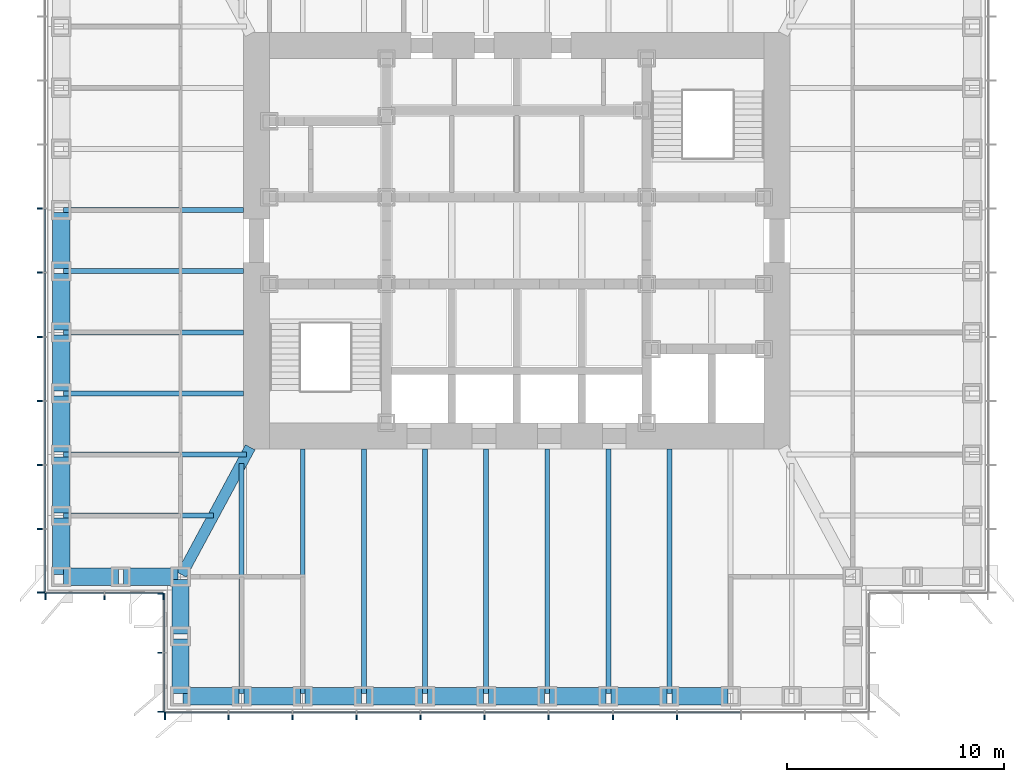
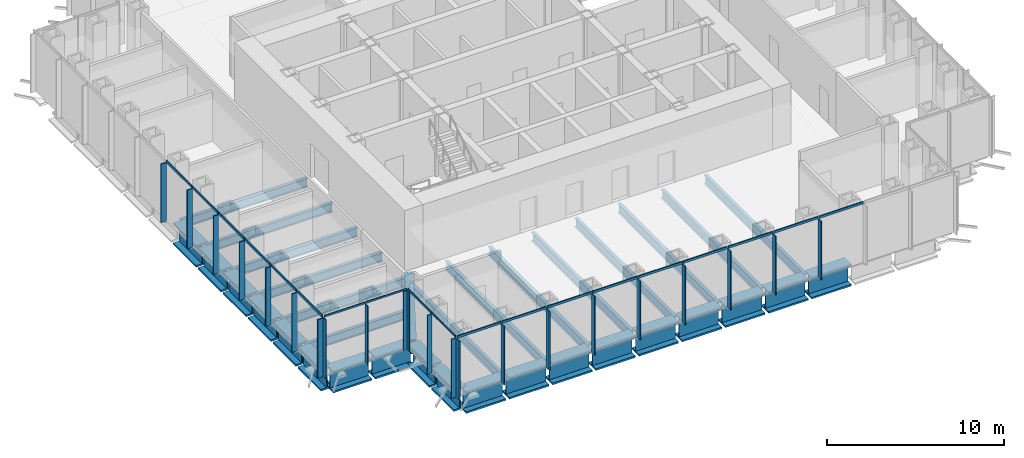
# One storey, part 2 of 17: 41 members, 34 beams, 4 elements without a shape of their own.
"""IFC4 building model written with IfcOpenShell, lengths in metres."""

from ifc_helpers import new_model, si_unit, direction, frame, origin, origin_2d, place, context, subcontext, project, spatial, rectangle, i_section, extrude, material, material_profile, profile_set, type_object, element, aggregate, save


model = new_model("IFC4")

# Units and contexts
model_context = context("Model", 3, precision=1e-05, world=origin(), true_north=direction((0.0, 1.0)))
body_context = subcontext(model_context, "Body", "Model", "MODEL_VIEW")
ifc_project = project(units=[si_unit("LENGTHUNIT", "METRE"), si_unit("AREAUNIT", "SQUARE_METRE"), si_unit("VOLUMEUNIT", "CUBIC_METRE"), si_unit("PLANEANGLEUNIT", "RADIAN"), si_unit("MASSUNIT", "GRAM", prefix="KILO")], contexts=[model_context])

# Site, building, storey
site_placement = place(None, origin())
site = spatial("IfcSite", under=ifc_project, at=site_placement, CompositionType="ELEMENT")
building_placement = place(site_placement, origin())
building = spatial("IfcBuilding", under=site, at=building_placement, Name="Daluyong Arena Tower", CompositionType="ELEMENT")
storey_placement = place(building_placement, frame((0.0, 0.0, 185.5)))
storey = spatial("IfcBuildingStorey", under=building, at=storey_placement, Name="L41", CompositionType="ELEMENT", Elevation=185.5)

# Curtain wall, members
ifc_material_1 = material(Name="Bronze anodised aluminium and glass", Category="aluminium")
curtain_wall_type_1 = type_object("IfcCurtainWallType", Name="Curtain wall CW3", PredefinedType="USERDEFINED", material=ifc_material_1)
curtain_wall_1_placement = place(storey_placement, origin())
curtain_wall_1 = element("IfcCurtainWall", 1, at=curtain_wall_1_placement, inside=storey, type_object=curtain_wall_type_1, Name="curtain wall L41 S", ObjectType="UNITISED CURTAIN WALL", PredefinedType="USERDEFINED")
ifc_material_2 = material(Name="Bronze anodised aluminium fin", Category="aluminium")
ifc_material_profile_1 = material_profile(ifc_material_2, rectangle(XDim=0.35009765625, YDim=0.070068359375, at=origin_2d()))
ifc_profile_set_1 = profile_set([ifc_material_profile_1], Name="Bronze anodised aluminium fin")
member_type_1 = type_object("IfcMemberType", Name="CW3 bronze fin 350x70", PredefinedType="MULLION", material=ifc_profile_set_1)
member_1_placement = place(storey_placement, frame((39.784912109375, 58.074951171875, 0.0), z_axis=(0.0, 0.0, 1.0), x_axis=(0.0, 1.0, 0.0)))
member_1 = element("IfcMember", 2, at=member_1_placement, type_object=member_type_1, Name="curtain wall L41 S fin 1", PredefinedType="MULLION", context=body_context, shape_type="SweptSolid", body=[
    extrude(rectangle(XDim=0.35009765625, YDim=0.070068359375, at=origin_2d()), origin(), (0.0, 0.0, 1.0), 4.0400390625),
])
member_2_placement = place(storey_placement, frame((42.70458984375, 58.074951171875, 0.0), z_axis=(0.0, 0.0, 1.0), x_axis=(0.0, 1.0, 0.0)))
member_2 = element("IfcMember", 3, at=member_2_placement, type_object=member_type_1, Name="curtain wall L41 S fin 2", PredefinedType="MULLION", context=body_context, shape_type="SweptSolid", body=[
    extrude(rectangle(XDim=0.35009765625, YDim=0.070068359375, at=origin_2d()), origin(), (0.0, 0.0, 1.0), 4.0400390625),
])
member_3_placement = place(storey_placement, frame((45.6591796875, 58.074951171875, 0.0), z_axis=(0.0, 0.0, 1.0), x_axis=(0.0, 1.0, 0.0)))
member_3 = element("IfcMember", 4, at=member_3_placement, type_object=member_type_1, Name="curtain wall L41 S fin 3", PredefinedType="MULLION", context=body_context, shape_type="SweptSolid", body=[
    extrude(rectangle(XDim=0.35009765625, YDim=0.070068359375, at=origin_2d()), origin(), (0.0, 0.0, 1.0), 4.0400390625),
])
member_4_placement = place(storey_placement, frame((48.613525390625, 58.074951171875, 0.0), z_axis=(0.0, 0.0, 1.0), x_axis=(0.0, 1.0, 0.0)))
member_4 = element("IfcMember", 5, at=member_4_placement, type_object=member_type_1, Name="curtain wall L41 S fin 4", PredefinedType="MULLION", context=body_context, shape_type="SweptSolid", body=[
    extrude(rectangle(XDim=0.35009765625, YDim=0.070068359375, at=origin_2d()), origin(), (0.0, 0.0, 1.0), 4.0400390625),
])
member_5_placement = place(storey_placement, frame((51.568115234375, 58.074951171875, 0.0), z_axis=(0.0, 0.0, 1.0), x_axis=(0.0, 1.0, 0.0)))
member_5 = element("IfcMember", 6, at=member_5_placement, type_object=member_type_1, Name="curtain wall L41 S fin 5", PredefinedType="MULLION", context=body_context, shape_type="SweptSolid", body=[
    extrude(rectangle(XDim=0.35009765625, YDim=0.070068359375, at=origin_2d()), origin(), (0.0, 0.0, 1.0), 4.0400390625),
])
member_6_placement = place(storey_placement, frame((54.522705078125, 58.074951171875, 0.0), z_axis=(0.0, 0.0, 1.0), x_axis=(0.0, 1.0, 0.0)))
member_6 = element("IfcMember", 7, at=member_6_placement, type_object=member_type_1, Name="curtain wall L41 S fin 6", PredefinedType="MULLION", context=body_context, shape_type="SweptSolid", body=[
    extrude(rectangle(XDim=0.35009765625, YDim=0.070068359375, at=origin_2d()), origin(), (0.0, 0.0, 1.0), 4.0400390625),
])
member_7_placement = place(storey_placement, frame((57.477294921875, 58.074951171875, 0.0), z_axis=(0.0, 0.0, 1.0), x_axis=(0.0, 1.0, 0.0)))
member_7 = element("IfcMember", 8, at=member_7_placement, type_object=member_type_1, Name="curtain wall L41 S fin 7", PredefinedType="MULLION", context=body_context, shape_type="SweptSolid", body=[
    extrude(rectangle(XDim=0.35009765625, YDim=0.070068359375, at=origin_2d()), origin(), (0.0, 0.0, 1.0), 4.0400390625),
])
member_8_placement = place(storey_placement, frame((60.431884765625, 58.074951171875, 0.0), z_axis=(0.0, 0.0, 1.0), x_axis=(0.0, 1.0, 0.0)))
member_8 = element("IfcMember", 9, at=member_8_placement, type_object=member_type_1, Name="curtain wall L41 S fin 8", PredefinedType="MULLION", context=body_context, shape_type="SweptSolid", body=[
    extrude(rectangle(XDim=0.35009765625, YDim=0.070068359375, at=origin_2d()), origin(), (0.0, 0.0, 1.0), 4.0400390625),
])
member_9_placement = place(storey_placement, frame((63.386474609375, 58.074951171875, 0.0), z_axis=(0.0, 0.0, 1.0), x_axis=(0.0, 1.0, 0.0)))
member_9 = element("IfcMember", 10, at=member_9_placement, type_object=member_type_1, Name="curtain wall L41 S fin 9", PredefinedType="MULLION", context=body_context, shape_type="SweptSolid", body=[
    extrude(rectangle(XDim=0.35009765625, YDim=0.070068359375, at=origin_2d()), origin(), (0.0, 0.0, 1.0), 4.0400390625),
])

curtain_wall_2_placement = place(storey_placement, origin())
curtain_wall_2 = element("IfcCurtainWall", 11, at=curtain_wall_2_placement, inside=storey, type_object=curtain_wall_type_1, Name="curtain wall L41 W", ObjectType="UNITISED CURTAIN WALL", PredefinedType="USERDEFINED")
member_10_placement = place(storey_placement, frame((34.074951171875, 81.477294921875, 0.0), z_axis=(0.0, 0.0, 1.0), x_axis=(1.0, 0.0, 0.0)))
member_10 = element("IfcMember", 12, at=member_10_placement, type_object=member_type_1, Name="curtain wall L41 W fin 6", PredefinedType="MULLION", context=body_context, shape_type="SweptSolid", body=[
    extrude(rectangle(XDim=0.35009765625, YDim=0.070068359375, at=origin_2d()), origin(), (0.0, 0.0, 1.0), 4.0400390625),
])
member_11_placement = place(storey_placement, frame((34.074951171875, 78.522705078125, 0.0), z_axis=(0.0, 0.0, 1.0), x_axis=(1.0, 0.0, 0.0)))
member_11 = element("IfcMember", 13, at=member_11_placement, type_object=member_type_1, Name="curtain wall L41 W fin 7", PredefinedType="MULLION", context=body_context, shape_type="SweptSolid", body=[
    extrude(rectangle(XDim=0.35009765625, YDim=0.070068359375, at=origin_2d()), origin(), (0.0, 0.0, 1.0), 4.0400390625),
])
member_12_placement = place(storey_placement, frame((34.074951171875, 75.568115234375, 0.0), z_axis=(0.0, 0.0, 1.0), x_axis=(1.0, 0.0, 0.0)))
member_12 = element("IfcMember", 14, at=member_12_placement, type_object=member_type_1, Name="curtain wall L41 W fin 8", PredefinedType="MULLION", context=body_context, shape_type="SweptSolid", body=[
    extrude(rectangle(XDim=0.35009765625, YDim=0.070068359375, at=origin_2d()), origin(), (0.0, 0.0, 1.0), 4.0400390625),
])
member_13_placement = place(storey_placement, frame((34.074951171875, 72.613525390625, 0.0), z_axis=(0.0, 0.0, 1.0), x_axis=(1.0, 0.0, 0.0)))
member_13 = element("IfcMember", 15, at=member_13_placement, type_object=member_type_1, Name="curtain wall L41 W fin 9", PredefinedType="MULLION", context=body_context, shape_type="SweptSolid", body=[
    extrude(rectangle(XDim=0.35009765625, YDim=0.070068359375, at=origin_2d()), origin(), (0.0, 0.0, 1.0), 4.0400390625),
])
member_14_placement = place(storey_placement, frame((34.074951171875, 69.6591796875, 0.0), z_axis=(0.0, 0.0, 1.0), x_axis=(1.0, 0.0, 0.0)))
member_14 = element("IfcMember", 16, at=member_14_placement, type_object=member_type_1, Name="curtain wall L41 W fin 10", PredefinedType="MULLION", context=body_context, shape_type="SweptSolid", body=[
    extrude(rectangle(XDim=0.35009765625, YDim=0.070068359375, at=origin_2d()), origin(), (0.0, 0.0, 1.0), 4.0400390625),
])
member_15_placement = place(storey_placement, frame((34.074951171875, 66.70458984375, 0.0), z_axis=(0.0, 0.0, 1.0), x_axis=(1.0, 0.0, 0.0)))
member_15 = element("IfcMember", 17, at=member_15_placement, type_object=member_type_1, Name="curtain wall L41 W fin 11", PredefinedType="MULLION", context=body_context, shape_type="SweptSolid", body=[
    extrude(rectangle(XDim=0.35009765625, YDim=0.070068359375, at=origin_2d()), origin(), (0.0, 0.0, 1.0), 4.0400390625),
])
member_16_placement = place(storey_placement, frame((34.074951171875, 63.784912109375, 0.0), z_axis=(0.0, 0.0, 1.0), x_axis=(1.0, 0.0, 0.0)))
member_16 = element("IfcMember", 18, at=member_16_placement, type_object=member_type_1, Name="curtain wall L41 W fin 12", PredefinedType="MULLION", context=body_context, shape_type="SweptSolid", body=[
    extrude(rectangle(XDim=0.35009765625, YDim=0.070068359375, at=origin_2d()), origin(), (0.0, 0.0, 1.0), 4.0400390625),
])

# Member
ifc_material_3 = material(Name="Bronze anodised aluminium", Category="aluminium")
ifc_material_profile_2 = material_profile(ifc_material_3, rectangle(XDim=0.070068359375, YDim=0.159912109375, at=origin_2d()))
ifc_profile_set_2 = profile_set([ifc_material_profile_2], Name="Bronze anodised aluminium")
member_type_2 = type_object("IfcMemberType", Name="CW3 stack transom 160x70", PredefinedType="USERDEFINED", material=ifc_profile_set_2)
member_17_placement = place(storey_placement, frame((39.820068359375, 58.25, 4.1201171875), z_axis=(1.0, 0.0, 0.0), x_axis=(0.0, 1.0, 0.0)))
member_17 = element("IfcMember", 19, at=member_17_placement, type_object=member_type_2, Name="curtain wall L41 S transom 1", ObjectType="TRANSOM", PredefinedType="USERDEFINED", context=body_context, shape_type="SweptSolid", body=[
    extrude(rectangle(XDim=0.070068359375, YDim=0.159912109375, at=origin_2d()), origin(), (0.0, 0.0, 1.0), 2.849365234375),
])

member_18_placement = place(storey_placement, frame((42.739501953125, 58.25, 4.1201171875), z_axis=(1.0, 0.0, 0.0), x_axis=(0.0, 1.0, 0.0)))
member_18 = element("IfcMember", 20, at=member_18_placement, type_object=member_type_2, Name="curtain wall L41 S transom 2", ObjectType="TRANSOM", PredefinedType="USERDEFINED", context=body_context, shape_type="SweptSolid", body=[
    extrude(rectangle(XDim=0.070068359375, YDim=0.159912109375, at=origin_2d()), origin(), (0.0, 0.0, 1.0), 2.884521484375),
])

member_19_placement = place(storey_placement, frame((45.694091796875, 58.25, 4.1201171875), z_axis=(1.0, 0.0, 0.0), x_axis=(0.0, 1.0, 0.0)))
member_19 = element("IfcMember", 21, at=member_19_placement, type_object=member_type_2, Name="curtain wall L41 S transom 3", ObjectType="TRANSOM", PredefinedType="USERDEFINED", context=body_context, shape_type="SweptSolid", body=[
    extrude(rectangle(XDim=0.070068359375, YDim=0.159912109375, at=origin_2d()), origin(), (0.0, 0.0, 1.0), 2.884521484375),
])

member_20_placement = place(storey_placement, frame((48.648681640625, 58.25, 4.1201171875), z_axis=(1.0, 0.0, 0.0), x_axis=(0.0, 1.0, 0.0)))
member_20 = element("IfcMember", 22, at=member_20_placement, type_object=member_type_2, Name="curtain wall L41 S transom 4", ObjectType="TRANSOM", PredefinedType="USERDEFINED", context=body_context, shape_type="SweptSolid", body=[
    extrude(rectangle(XDim=0.070068359375, YDim=0.159912109375, at=origin_2d()), origin(), (0.0, 0.0, 1.0), 2.884521484375),
])

member_21_placement = place(storey_placement, frame((51.603271484375, 58.25, 4.1201171875), z_axis=(1.0, 0.0, 0.0), x_axis=(0.0, 1.0, 0.0)))
member_21 = element("IfcMember", 23, at=member_21_placement, type_object=member_type_2, Name="curtain wall L41 S transom 5", ObjectType="TRANSOM", PredefinedType="USERDEFINED", context=body_context, shape_type="SweptSolid", body=[
    extrude(rectangle(XDim=0.070068359375, YDim=0.159912109375, at=origin_2d()), origin(), (0.0, 0.0, 1.0), 2.884521484375),
])

member_22_placement = place(storey_placement, frame((54.5576171875, 58.25, 4.1201171875), z_axis=(1.0, 0.0, 0.0), x_axis=(0.0, 1.0, 0.0)))
member_22 = element("IfcMember", 24, at=member_22_placement, type_object=member_type_2, Name="curtain wall L41 S transom 6", ObjectType="TRANSOM", PredefinedType="USERDEFINED", context=body_context, shape_type="SweptSolid", body=[
    extrude(rectangle(XDim=0.070068359375, YDim=0.159912109375, at=origin_2d()), origin(), (0.0, 0.0, 1.0), 2.884765625),
])

member_23_placement = place(storey_placement, frame((57.51220703125, 58.25, 4.1201171875), z_axis=(1.0, 0.0, 0.0), x_axis=(0.0, 1.0, 0.0)))
member_23 = element("IfcMember", 25, at=member_23_placement, type_object=member_type_2, Name="curtain wall L41 S transom 7", ObjectType="TRANSOM", PredefinedType="USERDEFINED", context=body_context, shape_type="SweptSolid", body=[
    extrude(rectangle(XDim=0.070068359375, YDim=0.159912109375, at=origin_2d()), origin(), (0.0, 0.0, 1.0), 2.884521484375),
])

member_24_placement = place(storey_placement, frame((60.466796875, 58.25, 4.1201171875), z_axis=(1.0, 0.0, 0.0), x_axis=(0.0, 1.0, 0.0)))
member_24 = element("IfcMember", 26, at=member_24_placement, type_object=member_type_2, Name="curtain wall L41 S transom 8", ObjectType="TRANSOM", PredefinedType="USERDEFINED", context=body_context, shape_type="SweptSolid", body=[
    extrude(rectangle(XDim=0.070068359375, YDim=0.159912109375, at=origin_2d()), origin(), (0.0, 0.0, 1.0), 2.884521484375),
])

member_25_placement = place(storey_placement, frame((63.42138671875, 58.25, 4.1201171875), z_axis=(1.0, 0.0, 0.0), x_axis=(0.0, 1.0, 0.0)))
member_25 = element("IfcMember", 27, at=member_25_placement, type_object=member_type_2, Name="curtain wall L41 S transom 9", ObjectType="TRANSOM", PredefinedType="USERDEFINED", context=body_context, shape_type="SweptSolid", body=[
    extrude(rectangle(XDim=0.070068359375, YDim=0.159912109375, at=origin_2d()), origin(), (0.0, 0.0, 1.0), 2.884521484375),
])

aggregate(curtain_wall_1, [member_1, member_2, member_3, member_4, member_5, member_6, member_7, member_8, member_9, member_17, member_18, member_19, member_20, member_21, member_22, member_23, member_24, member_25])

member_26_placement = place(storey_placement, frame((34.25, 81.4423828125, 4.1201171875), z_axis=(0.0, -1.0, 0.0), x_axis=(1.0, 0.0, 0.0)))
member_26 = element("IfcMember", 28, at=member_26_placement, type_object=member_type_2, Name="curtain wall L41 W transom 6", ObjectType="TRANSOM", PredefinedType="USERDEFINED", context=body_context, shape_type="SweptSolid", body=[
    extrude(rectangle(XDim=0.070068359375, YDim=0.159912109375, at=origin_2d()), origin(), (0.0, 0.0, 1.0), 2.884765625),
])

member_27_placement = place(storey_placement, frame((34.25, 78.48779296875, 4.1201171875), z_axis=(0.0, -1.0, 0.0), x_axis=(1.0, 0.0, 0.0)))
member_27 = element("IfcMember", 29, at=member_27_placement, type_object=member_type_2, Name="curtain wall L41 W transom 7", ObjectType="TRANSOM", PredefinedType="USERDEFINED", context=body_context, shape_type="SweptSolid", body=[
    extrude(rectangle(XDim=0.070068359375, YDim=0.159912109375, at=origin_2d()), origin(), (0.0, 0.0, 1.0), 2.884521484375),
])

member_28_placement = place(storey_placement, frame((34.25, 75.533203125, 4.1201171875), z_axis=(0.0, -1.0, 0.0), x_axis=(1.0, 0.0, 0.0)))
member_28 = element("IfcMember", 30, at=member_28_placement, type_object=member_type_2, Name="curtain wall L41 W transom 8", ObjectType="TRANSOM", PredefinedType="USERDEFINED", context=body_context, shape_type="SweptSolid", body=[
    extrude(rectangle(XDim=0.070068359375, YDim=0.159912109375, at=origin_2d()), origin(), (0.0, 0.0, 1.0), 2.884521484375),
])

member_29_placement = place(storey_placement, frame((34.25, 72.57861328125, 4.1201171875), z_axis=(0.0, -1.0, 0.0), x_axis=(1.0, 0.0, 0.0)))
member_29 = element("IfcMember", 31, at=member_29_placement, type_object=member_type_2, Name="curtain wall L41 W transom 9", ObjectType="TRANSOM", PredefinedType="USERDEFINED", context=body_context, shape_type="SweptSolid", body=[
    extrude(rectangle(XDim=0.070068359375, YDim=0.159912109375, at=origin_2d()), origin(), (0.0, 0.0, 1.0), 2.884521484375),
])

member_30_placement = place(storey_placement, frame((34.25, 69.6240234375, 4.1201171875), z_axis=(0.0, -1.0, 0.0), x_axis=(1.0, 0.0, 0.0)))
member_30 = element("IfcMember", 32, at=member_30_placement, type_object=member_type_2, Name="curtain wall L41 W transom 10", ObjectType="TRANSOM", PredefinedType="USERDEFINED", context=body_context, shape_type="SweptSolid", body=[
    extrude(rectangle(XDim=0.070068359375, YDim=0.159912109375, at=origin_2d()), origin(), (0.0, 0.0, 1.0), 2.884521484375),
])

member_31_placement = place(storey_placement, frame((34.25, 66.66943359375, 4.1201171875), z_axis=(0.0, -1.0, 0.0), x_axis=(1.0, 0.0, 0.0)))
member_31 = element("IfcMember", 33, at=member_31_placement, type_object=member_type_2, Name="curtain wall L41 W transom 11", ObjectType="TRANSOM", PredefinedType="USERDEFINED", context=body_context, shape_type="SweptSolid", body=[
    extrude(rectangle(XDim=0.070068359375, YDim=0.159912109375, at=origin_2d()), origin(), (0.0, 0.0, 1.0), 2.849365234375),
])

aggregate(curtain_wall_2, [member_10, member_11, member_12, member_13, member_14, member_15, member_16, member_26, member_27, member_28, member_29, member_30, member_31])

# Curtain wall, members
ifc_material_4 = material(Name="Bronze anodised aluminium and glass", Category="aluminium")
curtain_wall_type_2 = type_object("IfcCurtainWallType", Name="Curtain wall CW7", PredefinedType="USERDEFINED", material=ifc_material_4)
curtain_wall_3_placement = place(storey_placement, origin())
curtain_wall_3 = element("IfcCurtainWall", 34, at=curtain_wall_3_placement, inside=storey, type_object=curtain_wall_type_2, Name="curtain wall L41 SW-S", ObjectType="UNITISED CURTAIN WALL", PredefinedType="USERDEFINED")
ifc_material_5 = material(Name="Bronze anodised aluminium fin", Category="aluminium")
ifc_material_profile_3 = material_profile(ifc_material_5, rectangle(XDim=0.300048828125, YDim=0.06005859375, at=origin_2d()))
ifc_profile_set_3 = profile_set([ifc_material_profile_3], Name="Bronze anodised aluminium fin")
member_type_3 = type_object("IfcMemberType", Name="CW7 bronze fin 300x60", PredefinedType="MULLION", material=ifc_profile_set_3)
member_32_placement = place(storey_placement, frame((34.280029296875, 63.60009765625, 0.0), z_axis=(0.0, 0.0, 1.0), x_axis=(0.0, 1.0, 0.0)))
member_32 = element("IfcMember", 35, at=member_32_placement, type_object=member_type_3, Name="curtain wall L41 SW-S fin 1", PredefinedType="MULLION", context=body_context, shape_type="SweptSolid", body=[
    extrude(rectangle(XDim=0.300048828125, YDim=0.06005859375, at=origin_2d()), origin(), (0.0, 0.0, 1.0), 4.080078125),
])
member_33_placement = place(storey_placement, frame((37.0, 63.60009765625, 0.0), z_axis=(0.0, 0.0, 1.0), x_axis=(0.0, 1.0, 0.0)))
member_33 = element("IfcMember", 36, at=member_33_placement, type_object=member_type_3, Name="curtain wall L41 SW-S fin 2", PredefinedType="MULLION", context=body_context, shape_type="SweptSolid", body=[
    extrude(rectangle(XDim=0.300048828125, YDim=0.06005859375, at=origin_2d()), origin(), (0.0, 0.0, 1.0), 4.080078125),
])
member_34_placement = place(storey_placement, frame((39.719970703125, 63.60009765625, 0.0), z_axis=(0.0, 0.0, 1.0), x_axis=(0.0, 1.0, 0.0)))
member_34 = element("IfcMember", 37, at=member_34_placement, type_object=member_type_3, Name="curtain wall L41 SW-S fin 3", PredefinedType="MULLION", context=body_context, shape_type="SweptSolid", body=[
    extrude(rectangle(XDim=0.300048828125, YDim=0.06005859375, at=origin_2d()), origin(), (0.0, 0.0, 1.0), 4.080078125),
])

curtain_wall_4_placement = place(storey_placement, origin())
curtain_wall_4 = element("IfcCurtainWall", 38, at=curtain_wall_4_placement, inside=storey, type_object=curtain_wall_type_2, Name="curtain wall L41 SW-W", ObjectType="UNITISED CURTAIN WALL", PredefinedType="USERDEFINED")
member_35_placement = place(storey_placement, frame((39.60009765625, 63.719970703125, 0.0), z_axis=(0.0, 0.0, 1.0), x_axis=(1.0, 0.0, 0.0)))
member_35 = element("IfcMember", 39, at=member_35_placement, type_object=member_type_3, Name="curtain wall L41 SW-W fin 1", PredefinedType="MULLION", context=body_context, shape_type="SweptSolid", body=[
    extrude(rectangle(XDim=0.300048828125, YDim=0.06005859375, at=origin_2d()), origin(), (0.0, 0.0, 1.0), 4.080078125),
])
member_36_placement = place(storey_placement, frame((39.60009765625, 61.0, 0.0), z_axis=(0.0, 0.0, 1.0), x_axis=(1.0, 0.0, 0.0)))
member_36 = element("IfcMember", 40, at=member_36_placement, type_object=member_type_3, Name="curtain wall L41 SW-W fin 2", PredefinedType="MULLION", context=body_context, shape_type="SweptSolid", body=[
    extrude(rectangle(XDim=0.300048828125, YDim=0.06005859375, at=origin_2d()), origin(), (0.0, 0.0, 1.0), 4.080078125),
])
member_37_placement = place(storey_placement, frame((39.60009765625, 58.280029296875, 0.0), z_axis=(0.0, 0.0, 1.0), x_axis=(1.0, 0.0, 0.0)))
member_37 = element("IfcMember", 41, at=member_37_placement, type_object=member_type_3, Name="curtain wall L41 SW-W fin 3", PredefinedType="MULLION", context=body_context, shape_type="SweptSolid", body=[
    extrude(rectangle(XDim=0.300048828125, YDim=0.06005859375, at=origin_2d()), origin(), (0.0, 0.0, 1.0), 4.080078125),
])

# Member
ifc_material_6 = material(Name="Bronze anodised aluminium", Category="aluminium")
ifc_material_profile_4 = material_profile(ifc_material_6, rectangle(XDim=0.06005859375, YDim=0.1201171875, at=origin_2d()))
ifc_profile_set_4 = profile_set([ifc_material_profile_4], Name="Bronze anodised aluminium")
member_type_4 = type_object("IfcMemberType", Name="CW7 stack transom 120x60", PredefinedType="USERDEFINED", material=ifc_profile_set_4)
member_38_placement = place(storey_placement, frame((34.31005859375, 63.75, 4.139892578125), z_axis=(1.0, 0.0, 0.0), x_axis=(0.0, 1.0, 0.0)))
member_38 = element("IfcMember", 42, at=member_38_placement, type_object=member_type_4, Name="curtain wall L41 SW-S transom 1", ObjectType="TRANSOM", PredefinedType="USERDEFINED", context=body_context, shape_type="SweptSolid", body=[
    extrude(rectangle(XDim=0.06005859375, YDim=0.1201171875, at=origin_2d()), origin(), (0.0, 0.0, 1.0), 2.659912109375),
])

member_39_placement = place(storey_placement, frame((37.030029296875, 63.75, 4.139892578125), z_axis=(1.0, 0.0, 0.0), x_axis=(0.0, 1.0, 0.0)))
member_39 = element("IfcMember", 43, at=member_39_placement, type_object=member_type_4, Name="curtain wall L41 SW-S transom 2", ObjectType="TRANSOM", PredefinedType="USERDEFINED", context=body_context, shape_type="SweptSolid", body=[
    extrude(rectangle(XDim=0.06005859375, YDim=0.1201171875, at=origin_2d()), origin(), (0.0, 0.0, 1.0), 2.659912109375),
])

aggregate(curtain_wall_3, [member_32, member_33, member_34, member_38, member_39])

member_40_placement = place(storey_placement, frame((39.75, 63.68994140625, 4.139892578125), z_axis=(0.0, -1.0, 0.0), x_axis=(1.0, 0.0, 0.0)))
member_40 = element("IfcMember", 44, at=member_40_placement, type_object=member_type_4, Name="curtain wall L41 SW-W transom 1", ObjectType="TRANSOM", PredefinedType="USERDEFINED", context=body_context, shape_type="SweptSolid", body=[
    extrude(rectangle(XDim=0.06005859375, YDim=0.1201171875, at=origin_2d()), origin(), (0.0, 0.0, 1.0), 2.659912109375),
])

member_41_placement = place(storey_placement, frame((39.75, 60.969970703125, 4.139892578125), z_axis=(0.0, -1.0, 0.0), x_axis=(1.0, 0.0, 0.0)))
member_41 = element("IfcMember", 45, at=member_41_placement, type_object=member_type_4, Name="curtain wall L41 SW-W transom 2", ObjectType="TRANSOM", PredefinedType="USERDEFINED", context=body_context, shape_type="SweptSolid", body=[
    extrude(rectangle(XDim=0.06005859375, YDim=0.1201171875, at=origin_2d()), origin(), (0.0, 0.0, 1.0), 2.659912109375),
])

aggregate(curtain_wall_4, [member_35, member_36, member_37, member_40, member_41])

# Beams
ifc_material_7 = material(Name="Steel ASTM A572 Grade 50", Category="steel")
ifc_material_profile_5 = material_profile(ifc_material_7, i_section(OverallWidth=0.5, OverallDepth=1.0, WebThickness=0.03, FlangeThickness=0.06, at=origin_2d()))
ifc_profile_set_5 = profile_set([ifc_material_profile_5], Name="Steel ASTM A572 Grade 50")
beam_type_1 = type_object("IfcBeamType", Name="Corner girder TB1000X500", PredefinedType="BEAM", material=ifc_profile_set_5)
beam_1_placement = place(storey_placement, frame((40.554443359375, 64.601318359375, -0.659912109375), z_axis=(0.474119475266, 0.880460517669, 0.0), x_axis=(-0.880460517669, 0.474119475266, 0.0)))
element("IfcBeam", 46, at=beam_1_placement, inside=storey, type_object=beam_type_1, Name="corner girder DG2", PredefinedType="BEAM", context=body_context, shape_type="SweptSolid", body=[
    extrude(i_section(OverallWidth=0.5, OverallDepth=1.0, WebThickness=0.03, FlangeThickness=0.06, at=origin_2d()), origin(), (0.0, 0.0, 1.0), 6.66748046875),
])
ifc_material_8 = material(Name="Steel ASTM A992 Grade 50", Category="steel")
ifc_material_profile_6 = material_profile(ifc_material_8, i_section(OverallWidth=0.22900390625, OverallDepth=0.612060546875, WebThickness=0.011962890625, FlangeThickness=0.01953125, at=origin_2d()))
ifc_profile_set_6 = profile_set([ifc_material_profile_6], Name="Steel ASTM A992 Grade 50")
beam_type_2 = type_object("IfcBeamType", Name="Floor beam W24X84", PredefinedType="BEAM", material=ifc_profile_set_6)
beam_2_placement = place(storey_placement, frame((43.318115234375, 59.114990234375, -0.466064453125), z_axis=(0.0, 1.0, 0.0), x_axis=(-1.0, 0.0, 0.0)))
element("IfcBeam", 47, at=beam_2_placement, inside=storey, type_object=beam_type_2, Name="floor beam FB3", PredefinedType="BEAM", context=body_context, shape_type="SweptSolid", body=[
    extrude(i_section(OverallWidth=0.22900390625, OverallDepth=0.612060546875, WebThickness=0.011962890625, FlangeThickness=0.01953125, at=origin_2d()), origin(), (0.0, 0.0, 1.0), 10.618896484375),
])
for number, where, z_axis, x_axis, name in (
    (48, (46.136474609375, 59.114990234375, -0.466064453125), (0.0, 1.0, 0.0), (-1.0, 0.0, 0.0), "floor beam FB3"),
    (49, (48.95458984375, 59.114990234375, -0.466064453125), (0.0, 1.0, 0.0), (-1.0, 0.0, 0.0), "floor beam FB3"),
    (50, (51.772705078125, 59.114990234375, -0.466064453125), (0.0, 1.0, 0.0), (-1.0, 0.0, 0.0), "floor beam FB3"),
    (51, (54.5908203125, 59.114990234375, -0.466064453125), (0.0, 1.0, 0.0), (-1.0, 0.0, 0.0), "floor beam FB3"),
    (52, (57.4091796875, 59.114990234375, -0.466064453125), (0.0, 1.0, 0.0), (-1.0, 0.0, 0.0), "floor beam FB3"),
    (53, (60.227294921875, 59.114990234375, -0.466064453125), (0.0, 1.0, 0.0), (-1.0, 0.0, 0.0), "floor beam FB3"),
    (54, (63.04541015625, 59.114990234375, -0.466064453125), (0.0, 1.0, 0.0), (-1.0, 0.0, 0.0), "floor beam FB3"),
):
    element("IfcBeam", number, at=place(storey_placement, frame(where, z_axis=z_axis, x_axis=x_axis)), inside=storey, type_object=beam_type_2, Name=name, PredefinedType="BEAM", context=body_context, shape_type="SweptSolid", body=[
        extrude(i_section(OverallWidth=0.22900390625, OverallDepth=0.612060546875, WebThickness=0.011962890625, FlangeThickness=0.01953125, at=origin_2d()), origin(), (0.0, 0.0, 1.0), 11.284912109375),
    ])
for number, where, z_axis, x_axis, name in (
    (55, (35.114990234375, 81.4091796875, -0.466064453125), (1.0, 0.0, 0.0), (0.0, 1.0, 0.0), "floor beam FB3"),
    (56, (35.114990234375, 78.5908203125, -0.466064453125), (1.0, 0.0, 0.0), (0.0, 1.0, 0.0), "floor beam FB3"),
    (57, (35.114990234375, 75.772705078125, -0.466064453125), (1.0, 0.0, 0.0), (0.0, 1.0, 0.0), "floor beam FB3"),
    (58, (35.114990234375, 72.95458984375, -0.466064453125), (1.0, 0.0, 0.0), (0.0, 1.0, 0.0), "floor beam FB3"),
):
    element("IfcBeam", number, at=place(storey_placement, frame(where, z_axis=z_axis, x_axis=x_axis)), inside=storey, type_object=beam_type_2, Name=name, PredefinedType="BEAM", context=body_context, shape_type="SweptSolid", body=[
        extrude(i_section(OverallWidth=0.22900390625, OverallDepth=0.612060546875, WebThickness=0.011962890625, FlangeThickness=0.01953125, at=origin_2d()), origin(), (0.0, 0.0, 1.0), 8.284912109375),
    ])
beam_3_placement = place(storey_placement, frame((35.114990234375, 70.136474609375, -0.466064453125), z_axis=(1.0, 0.0, 0.0), x_axis=(0.0, 1.0, 0.0)))
element("IfcBeam", 59, at=beam_3_placement, inside=storey, type_object=beam_type_2, Name="floor beam FB3", PredefinedType="BEAM", context=body_context, shape_type="SweptSolid", body=[
    extrude(i_section(OverallWidth=0.22900390625, OverallDepth=0.612060546875, WebThickness=0.011962890625, FlangeThickness=0.01953125, at=origin_2d()), origin(), (0.0, 0.0, 1.0), 8.419921875),
])
beam_4_placement = place(storey_placement, frame((35.114990234375, 67.318115234375, -0.466064453125), z_axis=(1.0, 0.0, 0.0), x_axis=(0.0, 1.0, 0.0)))
element("IfcBeam", 60, at=beam_4_placement, inside=storey, type_object=beam_type_2, Name="floor beam FB3", PredefinedType="BEAM", context=body_context, shape_type="SweptSolid", body=[
    extrude(i_section(OverallWidth=0.22900390625, OverallDepth=0.612060546875, WebThickness=0.011962890625, FlangeThickness=0.01953125, at=origin_2d()), origin(), (0.0, 0.0, 1.0), 6.902587890625),
])
ifc_material_9 = material(Name="Steel ASTM A588 Grade 50", Category="steel")
ifc_material_profile_7 = material_profile(ifc_material_9, i_section(OverallWidth=0.800048828125, OverallDepth=1.5, WebThickness=0.05, FlangeThickness=0.12, at=origin_2d()))
ifc_profile_set_7 = profile_set([ifc_material_profile_7], Name="Steel ASTM A588 Grade 50")
beam_type_3 = type_object("IfcBeamType", Name="Spandrel Z3 PG1500X800", PredefinedType="SPANDREL", material=ifc_profile_set_7)
beam_5_placement = place(storey_placement, frame((40.614990234375, 59.0, -0.909912109375), z_axis=(1.0, 0.0, 0.0), x_axis=(0.0, 1.0, 0.0)))
element("IfcBeam", 61, at=beam_5_placement, inside=storey, type_object=beam_type_3, Name="spandrel z3 SB7", PredefinedType="SPANDREL", context=body_context, shape_type="SweptSolid", body=[
    extrude(i_section(OverallWidth=0.800048828125, OverallDepth=1.5, WebThickness=0.05, FlangeThickness=0.12, at=origin_2d()), origin(), (0.0, 0.0, 1.0), 2.588134765625),
])
beam_6_placement = place(storey_placement, frame((43.43310546875, 59.0, -0.909912109375), z_axis=(1.0, 0.0, 0.0), x_axis=(0.0, 1.0, 0.0)))
element("IfcBeam", 62, at=beam_6_placement, inside=storey, type_object=beam_type_3, Name="spandrel z3 SB7", PredefinedType="SPANDREL", context=body_context, shape_type="SweptSolid", body=[
    extrude(i_section(OverallWidth=0.800048828125, OverallDepth=1.5, WebThickness=0.05, FlangeThickness=0.12, at=origin_2d()), origin(), (0.0, 0.0, 1.0), 2.58837890625),
])
for number, where, z_axis, x_axis, name in (
    (63, (46.25146484375, 59.0, -0.909912109375), (1.0, 0.0, 0.0), (0.0, 1.0, 0.0), "spandrel z3 SB7"),
    (64, (49.069580078125, 59.0, -0.909912109375), (1.0, 0.0, 0.0), (0.0, 1.0, 0.0), "spandrel z3 SB7"),
    (65, (51.8876953125, 59.0, -0.909912109375), (1.0, 0.0, 0.0), (0.0, 1.0, 0.0), "spandrel z3 SB7"),
):
    element("IfcBeam", number, at=place(storey_placement, frame(where, z_axis=z_axis, x_axis=x_axis)), inside=storey, type_object=beam_type_3, Name=name, PredefinedType="SPANDREL", context=body_context, shape_type="SweptSolid", body=[
        extrude(i_section(OverallWidth=0.800048828125, OverallDepth=1.5, WebThickness=0.05, FlangeThickness=0.12, at=origin_2d()), origin(), (0.0, 0.0, 1.0), 2.588134765625),
    ])
beam_7_placement = place(storey_placement, frame((54.705810546875, 59.0, -0.909912109375), z_axis=(1.0, 0.0, 0.0), x_axis=(0.0, 1.0, 0.0)))
element("IfcBeam", 66, at=beam_7_placement, inside=storey, type_object=beam_type_3, Name="spandrel z3 SB7", PredefinedType="SPANDREL", context=body_context, shape_type="SweptSolid", body=[
    extrude(i_section(OverallWidth=0.800048828125, OverallDepth=1.5, WebThickness=0.05, FlangeThickness=0.12, at=origin_2d()), origin(), (0.0, 0.0, 1.0), 2.58837890625),
])
for number, where, z_axis, x_axis, name in (
    (67, (57.524169921875, 59.0, -0.909912109375), (1.0, 0.0, 0.0), (0.0, 1.0, 0.0), "spandrel z3 SB7"),
    (68, (60.34228515625, 59.0, -0.909912109375), (1.0, 0.0, 0.0), (0.0, 1.0, 0.0), "spandrel z3 SB7"),
    (69, (63.160400390625, 59.0, -0.909912109375), (1.0, 0.0, 0.0), (0.0, 1.0, 0.0), "spandrel z3 SB7"),
):
    element("IfcBeam", number, at=place(storey_placement, frame(where, z_axis=z_axis, x_axis=x_axis)), inside=storey, type_object=beam_type_3, Name=name, PredefinedType="SPANDREL", context=body_context, shape_type="SweptSolid", body=[
        extrude(i_section(OverallWidth=0.800048828125, OverallDepth=1.5, WebThickness=0.05, FlangeThickness=0.12, at=origin_2d()), origin(), (0.0, 0.0, 1.0), 2.588134765625),
    ])
beam_8_placement = place(storey_placement, frame((35.0, 81.294189453125, -0.909912109375), z_axis=(0.0, -1.0, 0.0), x_axis=(1.0, 0.0, 0.0)))
element("IfcBeam", 70, at=beam_8_placement, inside=storey, type_object=beam_type_3, Name="spandrel z3 SB7", PredefinedType="SPANDREL", context=body_context, shape_type="SweptSolid", body=[
    extrude(i_section(OverallWidth=0.800048828125, OverallDepth=1.5, WebThickness=0.05, FlangeThickness=0.12, at=origin_2d()), origin(), (0.0, 0.0, 1.0), 2.58837890625),
])
for number, where, z_axis, x_axis, name in (
    (71, (35.0, 78.475830078125, -0.909912109375), (0.0, -1.0, 0.0), (1.0, 0.0, 0.0), "spandrel z3 SB7"),
    (72, (35.0, 75.65771484375, -0.909912109375), (0.0, -1.0, 0.0), (1.0, 0.0, 0.0), "spandrel z3 SB7"),
    (73, (35.0, 72.839599609375, -0.909912109375), (0.0, -1.0, 0.0), (1.0, 0.0, 0.0), "spandrel z3 SB7"),
):
    element("IfcBeam", number, at=place(storey_placement, frame(where, z_axis=z_axis, x_axis=x_axis)), inside=storey, type_object=beam_type_3, Name=name, PredefinedType="SPANDREL", context=body_context, shape_type="SweptSolid", body=[
        extrude(i_section(OverallWidth=0.800048828125, OverallDepth=1.5, WebThickness=0.05, FlangeThickness=0.12, at=origin_2d()), origin(), (0.0, 0.0, 1.0), 2.588134765625),
    ])
beam_9_placement = place(storey_placement, frame((35.0, 70.021484375, -0.909912109375), z_axis=(0.0, -1.0, 0.0), x_axis=(1.0, 0.0, 0.0)))
element("IfcBeam", 74, at=beam_9_placement, inside=storey, type_object=beam_type_3, Name="spandrel z3 SB7", PredefinedType="SPANDREL", context=body_context, shape_type="SweptSolid", body=[
    extrude(i_section(OverallWidth=0.800048828125, OverallDepth=1.5, WebThickness=0.05, FlangeThickness=0.12, at=origin_2d()), origin(), (0.0, 0.0, 1.0), 2.58837890625),
])
beam_10_placement = place(storey_placement, frame((35.0, 67.203125, -0.909912109375), z_axis=(0.0, -1.0, 0.0), x_axis=(1.0, 0.0, 0.0)))
element("IfcBeam", 75, at=beam_10_placement, inside=storey, type_object=beam_type_3, Name="spandrel z3 SB7", PredefinedType="SPANDREL", context=body_context, shape_type="SweptSolid", body=[
    extrude(i_section(OverallWidth=0.800048828125, OverallDepth=1.5, WebThickness=0.05, FlangeThickness=0.12, at=origin_2d()), origin(), (0.0, 0.0, 1.0), 2.588134765625),
])
for number, where, z_axis, x_axis, name in (
    (76, (35.114990234375, 64.5, -0.909912109375), (1.0, 0.0, 0.0), (0.0, 1.0, 0.0), "spandrel z3 SB7"),
    (77, (37.864990234375, 64.5, -0.909912109375), (1.0, 0.0, 0.0), (0.0, 1.0, 0.0), "spandrel z3 SB7"),
    (78, (40.5, 64.385009765625, -0.909912109375), (0.0, -1.0, 0.0), (1.0, 0.0, 0.0), "spandrel z3 SB7"),
    (79, (40.5, 61.635009765625, -0.909912109375), (0.0, -1.0, 0.0), (1.0, 0.0, 0.0), "spandrel z3 SB7"),
):
    element("IfcBeam", number, at=place(storey_placement, frame(where, z_axis=z_axis, x_axis=x_axis)), inside=storey, type_object=beam_type_3, Name=name, PredefinedType="SPANDREL", context=body_context, shape_type="SweptSolid", body=[
        extrude(i_section(OverallWidth=0.800048828125, OverallDepth=1.5, WebThickness=0.05, FlangeThickness=0.12, at=origin_2d()), origin(), (0.0, 0.0, 1.0), 2.52001953125),
    ])

save(model, "model.ifc")
